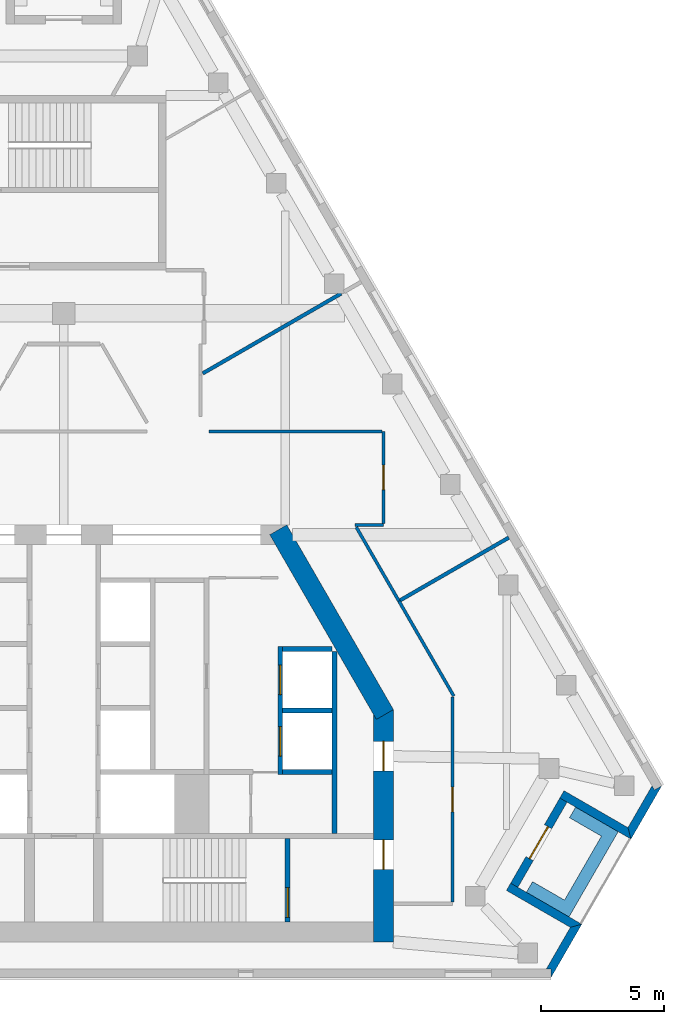
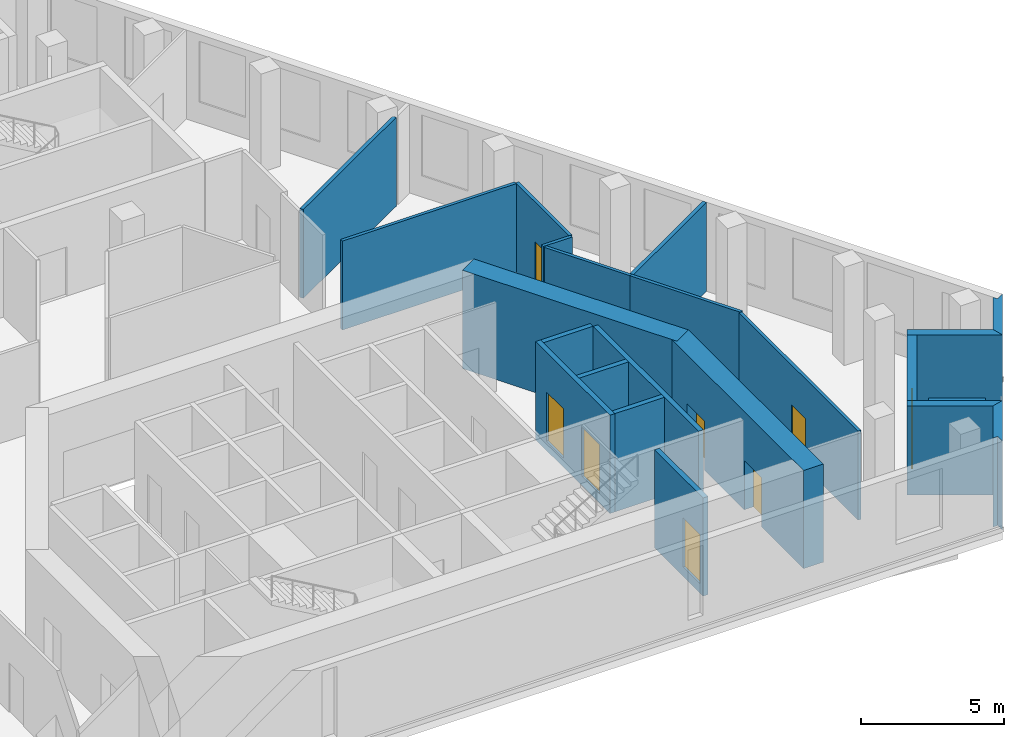
# One storey, part 5 of 8: 22 walls, 8 doors, 8 openings.
"""IFC4 building model written with IfcOpenShell, lengths in metres."""

from ifc_helpers import new_model, si_unit, direction, frame, frame_2d, origin, place, context, subcontext, project, spatial, polyline, rectangle, outline, extrude, material, layer, layer_set, type_object, element, fill, save


model = new_model("IFC4")

# Units and contexts
model_context = context("Model", 3, precision=1e-05, world=origin(), true_north=direction((0.0, 1.0)))
body_context = subcontext(model_context, "Body", "Model", "MODEL_VIEW")
ifc_project = project(units=[si_unit("LENGTHUNIT", "METRE"), si_unit("AREAUNIT", "SQUARE_METRE"), si_unit("VOLUMEUNIT", "CUBIC_METRE"), si_unit("PLANEANGLEUNIT", "RADIAN"), si_unit("MASSUNIT", "GRAM", prefix="KILO")], contexts=[model_context])

# Site, building, storey
site_placement = place(None, origin())
site = spatial("IfcSite", under=ifc_project, at=site_placement, CompositionType="ELEMENT")
building_placement = place(site_placement, origin())
building = spatial("IfcBuilding", under=site, at=building_placement, Name="Fogline Exchange Tower", CompositionType="ELEMENT")
storey_placement = place(building_placement, frame((0.0, 0.0, 326.699951171875)))
storey = spatial("IfcBuildingStorey", under=building, at=storey_placement, Name="L74", CompositionType="ELEMENT", Elevation=326.699951171875)

# Wall
ifc_material_1 = material(Name="Concrete C40", Category="concrete")
ifc_layer_1 = layer(ifc_material_1, 0.199951171875)
ifc_layer_set_1 = layer_set([ifc_layer_1], Name="CW20")
wall_type_1 = type_object("IfcWallType", Name="CW20", PredefinedType="SOLIDWALL", material=ifc_layer_set_1)
wall_1_placement = place(storey_placement, frame((11.0, 5.85009765625, 0.0), z_axis=(0.0, 0.0, 1.0), x_axis=(0.0, 1.0, 0.0)))
element("IfcWall", 1, at=wall_1_placement, inside=storey, type_object=wall_type_1, Name="Service room wall", PredefinedType="SOLIDWALL", context=body_context, shape_type="SweptSolid", body=[
    extrude(rectangle(XDim=7.39990234375, YDim=0.199951171875, at=frame_2d((3.699951171875, 0.0))), origin(), (0.0, 0.0, 1.0), 3.800048828125),
])

# Wall, opening, door
ifc_layer_2 = layer(ifc_material_1, 0.199951171875)
ifc_layer_set_2 = layer_set([ifc_layer_2], Name="CW20R")
wall_type_2 = type_object("IfcWallType", Name="CW20R", PredefinedType="SOLIDWALL", material=ifc_layer_set_2)
wall_2_placement = place(storey_placement, frame((9.10009765625, 2.25, -0.39990234375), z_axis=(0.0, 0.0, 1.0), x_axis=(0.0, 1.0, 0.0)))
wall_2 = element("IfcWall", 2, at=wall_2_placement, inside=storey, type_object=wall_type_2, Name="Stair enclosure wall", PredefinedType="SOLIDWALL", context=body_context, shape_type="SweptSolid", body=[
    extrude(rectangle(XDim=3.39990234375, YDim=0.199951171875, at=frame_2d((1.699951171875, 0.0))), origin(), (0.0, 0.0, 1.0), 4.199951171875),
])
opening_1_placement = place(wall_2_placement, frame((0.199951171875, 0.0, 0.39990234375)))
opening_1 = element("IfcOpeningElement", 3, at=opening_1_placement, cuts=wall_2, Name="Opening T23-C021", PredefinedType="OPENING", context=body_context, shape_type="SweptSolid", body=[
    extrude(rectangle(XDim=1.199951171875, YDim=2.10009765625, at=frame_2d((0.60009765625, 1.050048828125))), frame((0.0, 0.10986328125, 0.0), z_axis=(0.0, -1.0, 0.0), x_axis=(1.0, 0.0, 0.0)), (0.0, 0.0, 1.0), 0.219970703125),
])
ifc_material_2 = material(Name="Steel and timber fire door", Category="steel")
door_type_1 = type_object("IfcDoorType", Name="D-ST1", OperationType="SINGLE_SWING_LEFT", PredefinedType="DOOR", material=ifc_material_2)
door_1_placement = place(opening_1_placement, origin())
door_1 = element("IfcDoor", 4, at=door_1_placement, inside=storey, type_object=door_type_1, Name="Stair door ST2", OperationType="SINGLE_SWING_LEFT", OverallHeight=2.10009765625, OverallWidth=1.199951171875, PredefinedType="DOOR", context=body_context, shape_type="SweptSolid", body=[
    extrude(rectangle(XDim=1.199951171875, YDim=2.10009765625, at=frame_2d((0.60009765625, 1.050048828125))), frame((0.0, 0.02490234375, 0.0), z_axis=(0.0, -1.0, 0.0), x_axis=(1.0, 0.0, 0.0)), (0.0, 0.0, 1.0), 0.050048828125),
])
fill(opening_1, door_1)

# Wall, openings, doors
ifc_layer_3 = layer(ifc_material_1, 0.199951171875)
ifc_layer_set_3 = layer_set([ifc_layer_3], Name="CW20S")
wall_type_3 = type_object("IfcWallType", Name="CW20S", PredefinedType="SOLIDWALL", material=ifc_layer_set_3)
wall_3_placement = place(storey_placement, frame((8.800048828125, 8.25, -0.39990234375), z_axis=(0.0, 0.0, 1.0), x_axis=(0.0, 1.0, 0.0)))
wall_3 = element("IfcWall", 5, at=wall_3_placement, inside=storey, type_object=wall_type_3, Name="Lift shaft wall", PredefinedType="SOLIDWALL", context=body_context, shape_type="SweptSolid", body=[
    extrude(rectangle(XDim=5.199951171875, YDim=0.199951171875, at=frame_2d((2.60009765625, 0.0))), origin(), (0.0, 0.0, 1.0), 4.199951171875),
])
opening_2_placement = place(wall_3_placement, frame((0.75, 0.0, 0.39990234375)))
opening_2 = element("IfcOpeningElement", 6, at=opening_2_placement, cuts=wall_3, Name="Opening T23-LD02", PredefinedType="OPENING", context=body_context, shape_type="SweptSolid", body=[
    extrude(rectangle(XDim=1.199951171875, YDim=2.10009765625, at=frame_2d((0.60009765625, 1.050048828125))), frame((0.0, 0.10986328125, 0.0), z_axis=(0.0, -1.0, 0.0), x_axis=(1.0, 0.0, 0.0)), (0.0, 0.0, 1.0), 0.219970703125),
])
opening_3_placement = place(wall_3_placement, frame((3.25, 0.0, 0.39990234375)))
opening_3 = element("IfcOpeningElement", 7, at=opening_3_placement, cuts=wall_3, Name="Opening T23-LD03", PredefinedType="OPENING", context=body_context, shape_type="SweptSolid", body=[
    extrude(rectangle(XDim=1.199951171875, YDim=2.10009765625, at=frame_2d((0.60009765625, 1.050048828125))), frame((0.0, 0.10986328125, 0.0), z_axis=(0.0, -1.0, 0.0), x_axis=(1.0, 0.0, 0.0)), (0.0, 0.0, 1.0), 0.219970703125),
])
door_type_2 = type_object("IfcDoorType", Name="LD1", OperationType="SLIDING_TO_LEFT", PredefinedType="DOOR", material=ifc_material_2)
door_2_placement = place(opening_2_placement, origin())
door_2 = element("IfcDoor", 8, at=door_2_placement, inside=storey, type_object=door_type_2, Name="Landing door HR1", OperationType="SLIDING_TO_LEFT", OverallHeight=2.10009765625, OverallWidth=1.199951171875, PredefinedType="DOOR", context=body_context, shape_type="SweptSolid", body=[
    extrude(rectangle(XDim=1.199951171875, YDim=2.10009765625, at=frame_2d((0.60009765625, 1.050048828125))), frame((0.0, 0.02490234375, 0.0), z_axis=(0.0, -1.0, 0.0), x_axis=(1.0, 0.0, 0.0)), (0.0, 0.0, 1.0), 0.050048828125),
])
fill(opening_2, door_2)
door_3_placement = place(opening_3_placement, origin())
door_3 = element("IfcDoor", 9, at=door_3_placement, inside=storey, type_object=door_type_2, Name="Landing door HR2", OperationType="SLIDING_TO_LEFT", OverallHeight=2.10009765625, OverallWidth=1.199951171875, PredefinedType="DOOR", context=body_context, shape_type="SweptSolid", body=[
    extrude(rectangle(XDim=1.199951171875, YDim=2.10009765625, at=frame_2d((0.60009765625, 1.050048828125))), frame((0.0, 0.02490234375, 0.0), z_axis=(0.0, -1.0, 0.0), x_axis=(1.0, 0.0, 0.0)), (0.0, 0.0, 1.0), 0.050048828125),
])
fill(opening_3, door_3)

# Walls
for number, where, z_axis, x_axis, name in (
    (10, (8.89990234375, 8.35009765625, -0.39990234375), (0.0, 0.0, 1.0), (1.0, 0.0, 0.0), "Lift shaft wall"),
    (11, (8.89990234375, 10.85009765625, -0.39990234375), (0.0, 0.0, 1.0), (1.0, 0.0, 0.0), "Lift shaft wall"),
    (12, (8.89990234375, 13.35009765625, -0.39990234375), (0.0, 0.0, 1.0), (1.0, 0.0, 0.0), "Lift shaft wall"),
):
    element("IfcWall", number, at=place(storey_placement, frame(where, z_axis=z_axis, x_axis=x_axis)), inside=storey, type_object=wall_type_3, Name=name, PredefinedType="SOLIDWALL", context=body_context, shape_type="SweptSolid", body=[
        extrude(rectangle(XDim=2.0, YDim=0.199951171875, at=frame_2d((1.0, 0.0))), origin(), (0.0, 0.0, 1.0), 4.199951171875),
    ])
ifc_material_3 = material(Name="Brick masonry", Category="masonry")
ifc_layer_4 = layer(ifc_material_3, 0.340087890625)
ifc_layer_set_4 = layer_set([ifc_layer_4], Name="FW1")
wall_type_4 = type_object("IfcWallType", Name="FW1", PredefinedType="SOLIDWALL", material=ifc_layer_set_4)
wall_4_placement = place(storey_placement, origin())
element("IfcWall", 13, at=wall_4_placement, inside=storey, type_object=wall_type_4, Name="Brick wall L74 SE-c1", PredefinedType="SOLIDWALL", context=body_context, shape_type="SweptSolid", body=[
    extrude(outline(polyline([(21.058349609375, 2.165771484375), (19.807373046875, -0.001220703125), (19.806884765625, -0.0009765625), (19.806884765625, 0.33935546875), (19.610107421875, 0.33935546875), (20.592529296875, 2.041015625), (21.058349609375, 2.166015625), (21.058349609375, 2.165771484375)])), origin(), (0.0, 0.0, 1.0), 3.800048828125),
])
wall_5_placement = place(storey_placement, origin())
element("IfcWall", 14, at=wall_5_placement, inside=storey, type_object=wall_type_4, Name="Brick wall L74 SE-s1", PredefinedType="SOLIDWALL", context=body_context, shape_type="SweptSolid", body=[
    extrude(outline(polyline([(17.994140625, 3.540283203125), (18.16455078125, 3.8359375), (18.459716796875, 3.66552734375), (21.05859375, 2.1650390625), (21.05859375, 2.164794921875), (20.5927734375, 2.0400390625), (17.994140625, 3.540283203125)])), origin(), (0.0, 0.0, 1.0), 3.800048828125),
])

# Wall, opening, door
wall_6_placement = place(storey_placement, frame((18.31201171875, 3.75, 0.0), z_axis=(0.0, 0.0, 1.0), x_axis=(0.49999894854, 0.866026010844, 0.0)))
wall_6 = element("IfcWall", 15, at=wall_6_placement, inside=storey, type_object=wall_type_4, Name="Brick wall L74 SE-bk", PredefinedType="SOLIDWALL", context=body_context, shape_type="SweptSolid", body=[
    extrude(rectangle(XDim=4.0, YDim=0.340087890625, at=frame_2d((2.0, 0.0))), origin(), (0.0, 0.0, 1.0), 3.800048828125),
])
opening_4_placement = place(wall_6_placement, frame((1.25, 0.0, 0.0)))
opening_4 = element("IfcOpeningElement", 16, at=opening_4_placement, cuts=wall_6, Name="Opening T23-E081", PredefinedType="OPENING", context=body_context, shape_type="SweptSolid", body=[
    extrude(rectangle(XDim=1.5, YDim=2.39990234375, at=frame_2d((0.75, 1.199951171875))), frame((0.0, 0.18017578125, 0.0), z_axis=(0.0, -1.0, 0.0), x_axis=(1.0, 0.0, 0.0)), (0.0, 0.0, 1.0), 0.360107421875),
])
ifc_material_4 = material(Name="Aluminium and glass", Category="aluminium")
door_type_3 = type_object("IfcDoorType", Name="ED4", OperationType="SINGLE_SWING_LEFT", PredefinedType="DOOR", material=ifc_material_4)
door_4_placement = place(opening_4_placement, frame((1.5, 0.0, 0.0), z_axis=(0.0, 0.0, 1.0), x_axis=(-1.0, 0.0, 0.0)))
door_4 = element("IfcDoor", 17, at=door_4_placement, inside=storey, type_object=door_type_3, Name="Balcony door L74 SE", OperationType="DOUBLE_DOOR_SINGLE_SWING", OverallHeight=2.39990234375, OverallWidth=1.5, PredefinedType="DOOR", context=body_context, shape_type="SweptSolid", body=[
    extrude(rectangle(XDim=1.5, YDim=2.39990234375, at=frame_2d((0.75, 1.199951171875))), frame((0.0, 0.02490234375, 0.0), z_axis=(0.0, -1.0, 0.0), x_axis=(1.0, 0.0, 0.0)), (0.0, 0.0, 1.0), 0.050048828125),
])
fill(opening_4, door_4)

# Walls
wall_7_placement = place(storey_placement, origin())
element("IfcWall", 18, at=wall_7_placement, inside=storey, type_object=wall_type_4, Name="Brick wall L74 SE-s2", PredefinedType="SOLIDWALL", context=body_context, shape_type="SweptSolid", body=[
    extrude(outline(polyline([(23.05810546875, 5.628173828125), (20.458984375, 7.128662109375), (20.1640625, 7.298828125), (20.334716796875, 7.594482421875), (22.933349609375, 6.093994140625), (23.058349609375, 5.62841796875), (23.05810546875, 5.628173828125)])), origin(), (0.0, 0.0, 1.0), 3.800048828125),
])
wall_8_placement = place(storey_placement, origin())
element("IfcWall", 19, at=wall_8_placement, inside=storey, type_object=wall_type_4, Name="Brick wall L74 SE-c2", PredefinedType="SOLIDWALL", context=body_context, shape_type="SweptSolid", body=[
    extrude(outline(polyline([(23.914794921875, 7.79541015625), (24.01318359375, 7.625), (24.30810546875, 7.79541015625), (24.308349609375, 7.794921875), (23.057373046875, 5.6279296875), (23.05712890625, 5.6279296875), (22.932373046875, 6.09375), (23.914794921875, 7.79541015625)])), origin(), (0.0, 0.0, 1.0), 3.800048828125),
])
ifc_material_5 = material(Name="Concrete C30", Category="concrete")
ifc_layer_5 = layer(ifc_material_5, 0.199951171875)
ifc_layer_set_5 = layer_set([ifc_layer_5], Name="PL1")
wall_type_5 = type_object("IfcWallType", Name="PL1", PredefinedType="USERDEFINED", material=ifc_layer_set_5)
wall_9_placement = place(storey_placement, origin())
element("IfcWall", 20, at=wall_9_placement, inside=storey, type_object=wall_type_5, Name="PLANTER balcony L74 SE", ObjectType="PLANTER", PredefinedType="USERDEFINED", context=body_context, shape_type="SweptSolid", body=[
    extrude(outline(polyline([(18.8056640625, 3.465087890625), (20.104736328125, 2.715087890625), (20.104736328125, 2.715087890625), (20.537841796875, 2.465087890625), (22.287841796875, 5.49609375), (22.537841796875, 5.92919921875), (20.8056640625, 6.92919921875), (20.5556640625, 6.49609375), (21.854736328125, 5.74609375), (20.354736328125, 3.148193359375), (19.0556640625, 3.898193359375), (18.8056640625, 3.465087890625)])), origin(), (0.0, 0.0, 1.0), 1.10009765625),
])
ifc_material_6 = material(Name="Plasterboard corridor partition with mineral wool, 2 layers each side")
ifc_layer_6 = layer(ifc_material_6, 0.125)
ifc_layer_set_6 = layer_set([ifc_layer_6], Name="PW2")
wall_type_6 = type_object("IfcWallType", Name="PW2", PredefinedType="PARTITIONING", material=ifc_layer_set_6)
wall_10_placement = place(storey_placement, frame((11.890869140625, 18.305908203125, 0.0), z_axis=(0.0, 0.0, 1.0), x_axis=(0.499980616072, -0.866036594811, 0.0)))
element("IfcWall", 21, at=wall_10_placement, inside=storey, type_object=wall_type_6, Name="wall-L74-W001", PredefinedType="PARTITIONING", context=body_context, shape_type="SweptSolid", body=[
    extrude(rectangle(XDim=3.465576171875, YDim=0.125, at=frame_2d((1.73291015625, 0.0))), origin(), (0.0, 0.0, 1.0), 3.800048828125),
])
wall_11_placement = place(storey_placement, frame((13.62353515625, 15.3046875, 0.0), z_axis=(0.0, 0.0, 1.0), x_axis=(0.499994034198, -0.866028848114, 0.0)))
element("IfcWall", 22, at=wall_11_placement, inside=storey, type_object=wall_type_6, Name="wall-L74-W002", PredefinedType="PARTITIONING", context=body_context, shape_type="SweptSolid", body=[
    extrude(rectangle(XDim=4.46142578125, YDim=0.125, at=frame_2d((2.230712890625, 0.0))), origin(), (0.0, 0.0, 1.0), 3.800048828125),
])

# Wall, opening, door
wall_12_placement = place(storey_placement, frame((15.800048828125, 11.409912109375, 0.0), z_axis=(0.0, 0.0, 1.0), x_axis=(0.0, -1.0, 0.0)))
wall_12 = element("IfcWall", 23, at=wall_12_placement, inside=storey, type_object=wall_type_6, Name="wall-L74-W003", PredefinedType="PARTITIONING", context=body_context, shape_type="SweptSolid", body=[
    extrude(rectangle(XDim=8.347412109375, YDim=0.125, at=frame_2d((4.173828125, 0.0))), origin(), (0.0, 0.0, 1.0), 3.800048828125),
])
opening_5_placement = place(wall_12_placement, frame((3.673583984375, 0.0, 0.0)))
opening_5 = element("IfcOpeningElement", 24, at=opening_5_placement, cuts=wall_12, Name="Opening T23-D001", PredefinedType="OPENING", context=body_context, shape_type="SweptSolid", body=[
    extrude(rectangle(XDim=1.0, YDim=2.10009765625, at=frame_2d((0.5, 1.050048828125))), frame((0.0, 0.072509765625, 0.0), z_axis=(0.0, -1.0, 0.0), x_axis=(1.0, 0.0, 0.0)), (0.0, 0.0, 1.0), 0.14501953125),
])
ifc_material_7 = material(Name="Fire-rated timber door leaf with steel frame", Category="steel")
door_type_4 = type_object("IfcDoorType", Name="D3", OperationType="SINGLE_SWING_LEFT", PredefinedType="DOOR", material=ifc_material_7)
door_5_placement = place(opening_5_placement, origin())
door_5 = element("IfcDoor", 25, at=door_5_placement, inside=storey, type_object=door_type_4, Name="door-L74-D001", OperationType="SINGLE_SWING_RIGHT", OverallHeight=2.10009765625, OverallWidth=1.0, PredefinedType="DOOR", context=body_context, shape_type="SweptSolid", body=[
    extrude(rectangle(XDim=1.0, YDim=2.10009765625, at=frame_2d((0.5, 1.050048828125))), frame((0.0, 0.02490234375, 0.0), z_axis=(0.0, -1.0, 0.0), x_axis=(1.0, 0.0, 0.0)), (0.0, 0.0, 1.0), 0.050048828125),
])
fill(opening_5, door_5)

# Wall
wall_13_placement = place(storey_placement, frame((5.898193359375, 22.199951171875, 0.0), z_axis=(0.0, 0.0, 1.0), x_axis=(1.0, 0.0, 0.0)))
element("IfcWall", 26, at=wall_13_placement, inside=storey, type_object=wall_type_6, Name="wall-L74-W005", PredefinedType="PARTITIONING", context=body_context, shape_type="SweptSolid", body=[
    extrude(rectangle(XDim=7.039306640625, YDim=0.125, at=frame_2d((3.51953125, 0.0))), origin(), (0.0, 0.0, 1.0), 3.800048828125),
])

# Wall, opening, door
wall_14_placement = place(storey_placement, frame((13.0, 22.199951171875, 0.0), z_axis=(0.0, 0.0, 1.0), x_axis=(0.0, -1.0, 0.0)))
wall_14 = element("IfcWall", 27, at=wall_14_placement, inside=storey, type_object=wall_type_6, Name="wall-L74-W006", PredefinedType="PARTITIONING", context=body_context, shape_type="SweptSolid", body=[
    extrude(rectangle(XDim=3.737548828125, YDim=0.125, at=frame_2d((1.86865234375, 0.0))), origin(), (0.0, 0.0, 1.0), 3.800048828125),
])
opening_6_placement = place(wall_14_placement, frame((1.368896484375, 0.0, 0.0)))
opening_6 = element("IfcOpeningElement", 28, at=opening_6_placement, cuts=wall_14, Name="Opening T23-D002", PredefinedType="OPENING", context=body_context, shape_type="SweptSolid", body=[
    extrude(rectangle(XDim=1.0, YDim=2.10009765625, at=frame_2d((0.5, 1.050048828125))), frame((0.0, 0.072509765625, 0.0), z_axis=(0.0, -1.0, 0.0), x_axis=(1.0, 0.0, 0.0)), (0.0, 0.0, 1.0), 0.14501953125),
])
door_6_placement = place(opening_6_placement, origin())
door_6 = element("IfcDoor", 29, at=door_6_placement, inside=storey, type_object=door_type_4, Name="door-L74-D002", OperationType="SINGLE_SWING_LEFT", OverallHeight=2.10009765625, OverallWidth=1.0, PredefinedType="DOOR", context=body_context, shape_type="SweptSolid", body=[
    extrude(rectangle(XDim=1.0, YDim=2.10009765625, at=frame_2d((0.5, 1.050048828125))), frame((0.0, 0.02490234375, 0.0), z_axis=(0.0, -1.0, 0.0), x_axis=(1.0, 0.0, 0.0)), (0.0, 0.0, 1.0), 0.050048828125),
])
fill(opening_6, door_6)

# Walls
wall_15_placement = place(storey_placement, frame((13.0, 18.39990234375, 0.0), z_axis=(0.0, 0.0, 1.0), x_axis=(-1.0, 0.0, 0.0)))
element("IfcWall", 30, at=wall_15_placement, inside=storey, type_object=wall_type_6, Name="wall-L74-W007", PredefinedType="PARTITIONING", context=body_context, shape_type="SweptSolid", body=[
    extrude(rectangle(XDim=1.16357421875, YDim=0.125, at=frame_2d((0.581787109375, 0.0))), origin(), (0.0, 0.0, 1.0), 3.800048828125),
])
ifc_material_8 = material(Name="Plasterboard demising partition with mineral wool and acoustic board")
ifc_layer_7 = layer(ifc_material_8, 0.14990234375)
ifc_layer_set_7 = layer_set([ifc_layer_7], Name="PW3")
wall_type_7 = type_object("IfcWallType", Name="PW3", PredefinedType="PARTITIONING", material=ifc_layer_set_7)
wall_16_placement = place(storey_placement, frame((5.650390625, 24.557861328125, 0.0), z_axis=(0.0, 0.0, 1.0), x_axis=(0.866046129401, 0.49996410046, 0.0)))
element("IfcWall", 31, at=wall_16_placement, inside=storey, type_object=wall_type_7, Name="wall-L74-W027", PredefinedType="PARTITIONING", context=body_context, shape_type="SweptSolid", body=[
    extrude(rectangle(XDim=6.5009765625, YDim=0.14990234375, at=frame_2d((3.25048828125, 0.0))), origin(), (0.0, 0.0, 1.0), 3.800048828125),
])
wall_17_placement = place(storey_placement, frame((18.08984375, 17.88330078125, 0.0), z_axis=(0.0, 0.0, 1.0), x_axis=(-0.866034770228, -0.499983776493, 0.0)))
element("IfcWall", 32, at=wall_17_placement, inside=storey, type_object=wall_type_7, Name="wall-L74-W029", PredefinedType="PARTITIONING", context=body_context, shape_type="SweptSolid", body=[
    extrude(rectangle(XDim=5.094970703125, YDim=0.14990234375, at=frame_2d((2.54736328125, 0.0))), origin(), (0.0, 0.0, 1.0), 3.800048828125),
])

# Wall, openings, doors
ifc_material_9 = material(Name="Concrete C50", Category="concrete")
ifc_layer_8 = layer(ifc_material_9, 0.800048828125)
ifc_layer_set_8 = layer_set([ifc_layer_8], Name="SW04")
wall_type_8 = type_object("IfcWallType", Name="SW04", PredefinedType="SHEAR", material=ifc_layer_set_8)
wall_18_placement = place(storey_placement, frame((13.0, 1.449951171875, 0.0), z_axis=(0.0, 0.0, 1.0), x_axis=(0.0, 1.0, 0.0)))
wall_18 = element("IfcWall", 33, at=wall_18_placement, inside=storey, type_object=wall_type_8, Name="L74-W902", PredefinedType="SHEAR", context=body_context, shape_type="SweptSolid", body=[
    extrude(rectangle(XDim=9.44189453125, YDim=0.800048828125, at=frame_2d((4.720947265625, 0.0))), origin(), (0.0, 0.0, 1.0), 4.199951171875),
])
opening_7_placement = place(wall_18_placement, frame((2.949951171875, 0.0, 0.0)))
opening_7 = element("IfcOpeningElement", 34, at=opening_7_placement, cuts=wall_18, Name="Opening T23-C020", PredefinedType="OPENING", context=body_context, shape_type="SweptSolid", body=[
    extrude(rectangle(XDim=1.199951171875, YDim=2.10009765625, at=frame_2d((0.60009765625, 1.050048828125))), frame((0.0, 0.41015625, 0.0), z_axis=(0.0, -1.0, 0.0), x_axis=(1.0, 0.0, 0.0)), (0.0, 0.0, 1.0), 0.820068359375),
])
opening_8_placement = place(wall_18_placement, frame((6.949951171875, 0.0, 0.0)))
opening_8 = element("IfcOpeningElement", 35, at=opening_8_placement, cuts=wall_18, Name="Opening T23-C022", PredefinedType="OPENING", context=body_context, shape_type="SweptSolid", body=[
    extrude(rectangle(XDim=1.199951171875, YDim=2.10009765625, at=frame_2d((0.60009765625, 1.050048828125))), frame((0.0, 0.41015625, 0.0), z_axis=(0.0, -1.0, 0.0), x_axis=(1.0, 0.0, 0.0)), (0.0, 0.0, 1.0), 0.820068359375),
])
door_type_5 = type_object("IfcDoorType", Name="D-FR1", OperationType="SINGLE_SWING_RIGHT", PredefinedType="DOOR", material=ifc_material_2)
door_7_placement = place(opening_7_placement, origin())
door_7 = element("IfcDoor", 36, at=door_7_placement, inside=storey, type_object=door_type_5, Name="Front room door ST2", OperationType="SINGLE_SWING_RIGHT", OverallHeight=2.10009765625, OverallWidth=1.199951171875, PredefinedType="DOOR", context=body_context, shape_type="SweptSolid", body=[
    extrude(rectangle(XDim=1.199951171875, YDim=2.10009765625, at=frame_2d((0.60009765625, 1.050048828125))), frame((0.0, 0.02490234375, 0.0), z_axis=(0.0, -1.0, 0.0), x_axis=(1.0, 0.0, 0.0)), (0.0, 0.0, 1.0), 0.050048828125),
])
fill(opening_7, door_7)
door_type_6 = type_object("IfcDoorType", Name="D-SV1", OperationType="SINGLE_SWING_LEFT", PredefinedType="DOOR", material=ifc_material_2)
door_8_placement = place(opening_8_placement, origin())
door_8 = element("IfcDoor", 37, at=door_8_placement, inside=storey, type_object=door_type_6, Name="Service door E", OperationType="SINGLE_SWING_RIGHT", OverallHeight=2.10009765625, OverallWidth=1.199951171875, PredefinedType="DOOR", context=body_context, shape_type="SweptSolid", body=[
    extrude(rectangle(XDim=1.199951171875, YDim=2.10009765625, at=frame_2d((0.60009765625, 1.050048828125))), frame((0.0, 0.02490234375, 0.0), z_axis=(0.0, -1.0, 0.0), x_axis=(1.0, 0.0, 0.0)), (0.0, 0.0, 1.0), 0.050048828125),
])
fill(opening_8, door_8)

# Wall
wall_19_placement = place(storey_placement, frame((13.0537109375, 10.69189453125, 0.0), z_axis=(0.0, 0.0, 1.0), x_axis=(-0.500015780397, 0.866016292776, 0.0)))
element("IfcWall", 38, at=wall_19_placement, inside=storey, type_object=wall_type_8, Name="L74-W903", PredefinedType="SHEAR", context=body_context, shape_type="SweptSolid", body=[
    extrude(rectangle(XDim=8.669677734375, YDim=0.800048828125, at=frame_2d((4.3349609375, 0.0))), origin(), (0.0, 0.0, 1.0), 4.199951171875),
])

save(model, "model.ifc")
